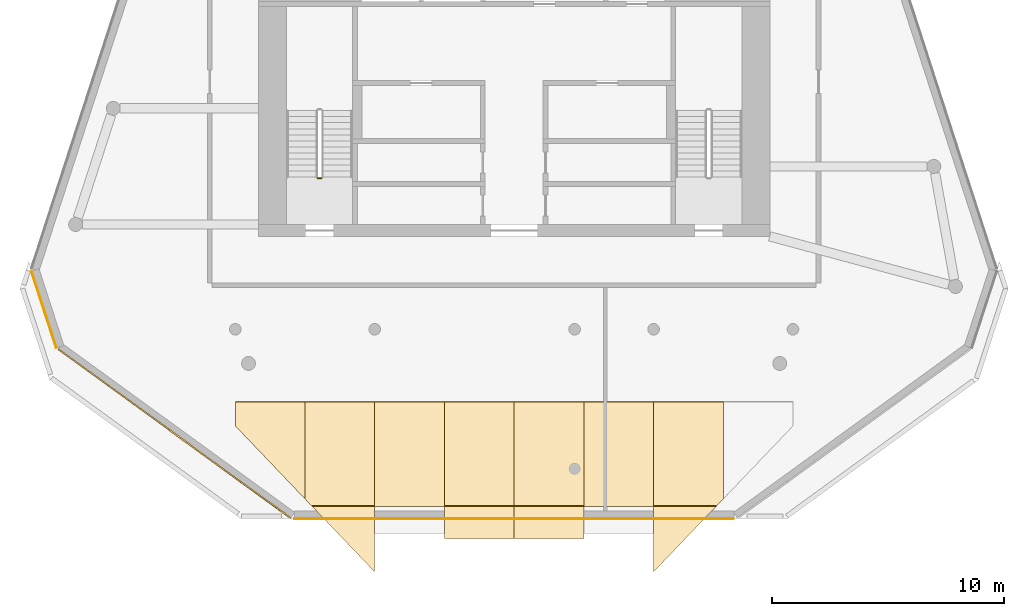
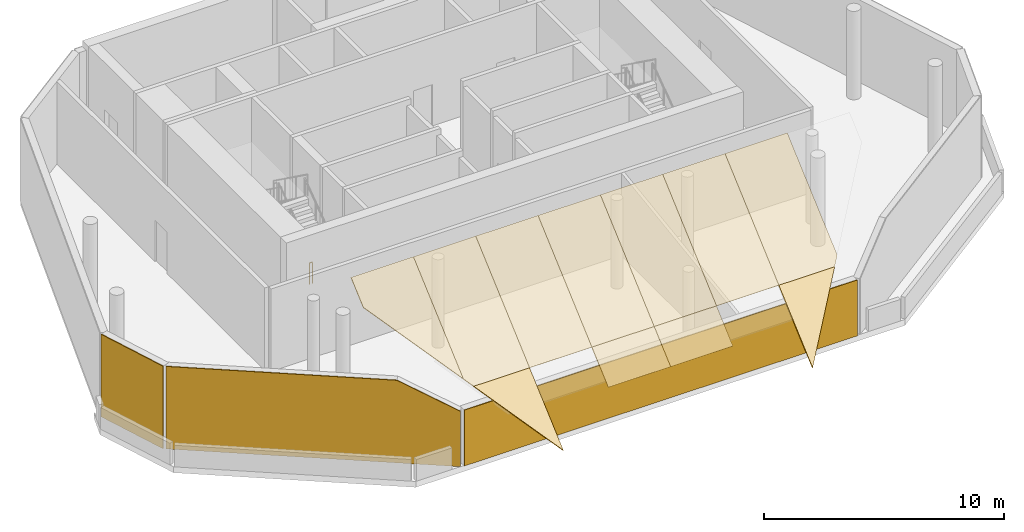
# One storey, part 4 of 7: 14 coverings, 1 railing.
"""IFC4 building model written with IfcOpenShell, lengths in metres."""

import ifcopenshell
import ifcopenshell.guid

model = None  # the IFC model being written
_history = None  # IfcOwnerHistory: only IFC2X3 demands one
_inside = {}  # id of a spatial element -> (the spatial element, [elements in it])
_under = {}  # id of a project, library or spatial element -> (it, [spatial elements below it])
_declared = {}  # id of a project -> (the project, [libraries it declares])
_typed = {}  # id of a type object -> (the type object, [elements of that type])
_made_of = {}  # id of a material, layer set ... -> (it, [elements and type objects made of it])


def new_model(schema):
    """Start an empty IFC model of exactly this schema.

    Asked for "IFC4X3", IfcOpenShell would pick the latest addendum, in which some entities
    have other attributes; the version numbers below select the first issue.
    IFC2X3 requires an IfcOwnerHistory on every rooted entity: one is made here for all.
    """
    global model, _history
    if schema == "IFC4X3":
        model = ifcopenshell.file(schema_version=(4, 3, 0, 0))
    else:
        model = ifcopenshell.file(schema=schema)
    _inside.clear()
    _under.clear()
    _declared.clear()
    _typed.clear()
    _made_of.clear()
    _history = None
    if model.schema == "IFC2X3":
        org = make("IfcOrganization", Name="unknown")
        user = make(
            "IfcPersonAndOrganization",
            ThePerson=make("IfcPerson", FamilyName="unknown"),
            TheOrganization=org,
        )
        app = make(
            "IfcApplication",
            ApplicationDeveloper=org,
            Version="unknown",
            ApplicationFullName="unknown",
            ApplicationIdentifier="unknown",
        )
        _history = make(
            "IfcOwnerHistory",
            OwningUser=user,
            OwningApplication=app,
            ChangeAction="ADDED",
            CreationDate=0,
        )
    return model


def make(cls, **values):
    """One entity of the class cls with the attributes given. An attribute that is None is left unset."""
    return model.create_entity(
        cls, **{name: value for name, value in values.items() if value is not None}
    )


def rooted(cls, **values):
    """An entity with a GlobalId (a new one), such as an element, a storey or a relation."""
    return make(cls, GlobalId=ifcopenshell.guid.new(), OwnerHistory=_history, **values)


def si_unit(unit_type, name, prefix=None):
    """IfcSIUnit, for example si_unit("LENGTHUNIT", "METRE", prefix="MILLI")."""
    return make("IfcSIUnit", UnitType=unit_type, Prefix=prefix, Name=name)


def assignment(units):
    """IfcUnitAssignment: the units of a project."""
    return None if units is None else make("IfcUnitAssignment", Units=units)


def point(xyz):
    """IfcCartesianPoint."""
    return None if xyz is None else make("IfcCartesianPoint", Coordinates=xyz)


def direction(xyz):
    """IfcDirection."""
    return None if xyz is None else make("IfcDirection", DirectionRatios=xyz)


def frame(location, z_axis=None, x_axis=None):
    """IfcAxis2Placement3D, a coordinate frame: its origin and axes. An axis left out is left unset."""
    return make(
        "IfcAxis2Placement3D",
        Location=point(location),
        Axis=direction(z_axis),
        RefDirection=direction(x_axis),
    )


def frame_2d(location, x_axis=None):
    """IfcAxis2Placement2D, a coordinate frame in the plane: its origin and x axis."""
    return make(
        "IfcAxis2Placement2D", Location=point(location), RefDirection=direction(x_axis)
    )


def origin():
    """The frame at (0, 0, 0) with its axes left unset."""
    return frame((0.0, 0.0, 0.0))


def origin_2d():
    """The frame at (0, 0) in the plane with its x axis left unset."""
    return frame_2d((0.0, 0.0))


def place(relative_to, where):
    """IfcLocalPlacement: puts the frame where relative to a parent placement (None: the world)."""
    return make(
        "IfcLocalPlacement", PlacementRelTo=relative_to, RelativePlacement=where
    )


def context(
    kind, dimensions, precision=None, world=None, true_north=None, identifier=None
):
    """IfcGeometricRepresentationContext, for example the 3D "Model" context."""
    return make(
        "IfcGeometricRepresentationContext",
        ContextIdentifier=identifier,
        ContextType=kind,
        CoordinateSpaceDimension=dimensions,
        Precision=precision,
        WorldCoordinateSystem=world,
        TrueNorth=true_north,
    )


def subcontext(parent, identifier, kind, view, scale=None):
    """IfcGeometricRepresentationSubContext, for example "Body" below "Model"."""
    return make(
        "IfcGeometricRepresentationSubContext",
        ContextIdentifier=identifier,
        ContextType=kind,
        ParentContext=parent,
        TargetScale=scale,
        TargetView=view,
    )


def project(units=None, contexts=None):
    """IfcProject with its units and contexts."""
    return rooted(
        "IfcProject",
        Name="project",
        RepresentationContexts=contexts,
        UnitsInContext=assignment(units),
    )


def spatial(cls, under=None, at=None, **own):
    """A site, building, storey or space (cls), placed at a placement, below another one or the project."""
    s = rooted(cls, ObjectPlacement=at, **own)
    if under is not None:
        _under.setdefault(under.id(), (under, []))[1].append(s)
    return s


def polyline(points):
    """IfcPolyline through the points."""
    return make("IfcPolyline", Points=[point(p) for p in points])


def profile(cls, at=None, kind="AREA", **sizes):
    """A parametric profile (cls). Its sizes go by their IFC names, for example OverallWidth=200.0."""
    return make(cls, ProfileType=kind, Position=at, **sizes)


def circle(**sizes):
    """IfcCircleProfileDef."""
    return profile("IfcCircleProfileDef", **sizes)


def outline(outer, holes=None, kind="AREA"):
    """IfcArbitraryClosedProfileDef: a profile drawn as a closed curve; with holes, ...WithVoids."""
    if holes is None:
        return make("IfcArbitraryClosedProfileDef", ProfileType=kind, OuterCurve=outer)
    return make(
        "IfcArbitraryProfileDefWithVoids",
        ProfileType=kind,
        OuterCurve=outer,
        InnerCurves=holes,
    )


def extrude(swept, where, along, depth):
    """IfcExtrudedAreaSolid: the profile swept, set in the frame where, extruded along a direction by depth."""
    return make(
        "IfcExtrudedAreaSolid",
        SweptArea=swept,
        Position=where,
        ExtrudedDirection=direction(along),
        Depth=depth,
    )


def shape(context_of_items, identifier, shape_type, items):
    """IfcShapeRepresentation: the items that make up one representation, for example the "Body"."""
    return make(
        "IfcShapeRepresentation",
        ContextOfItems=context_of_items,
        RepresentationIdentifier=identifier,
        RepresentationType=shape_type,
        Items=items,
    )


def material(Name=None, Category=None):
    """IfcMaterial."""
    return make("IfcMaterial", Name=Name, Category=Category)


def layer(
    of_material, thickness, ventilated=None, Name=None, Category=None, Priority=None
):
    """IfcMaterialLayer: one layer of a wall or slab, of a material (None: an air gap)."""
    return make(
        "IfcMaterialLayer",
        Material=of_material,
        LayerThickness=thickness,
        IsVentilated=ventilated,
        Name=Name,
        Category=Category,
        Priority=Priority,
    )


def layer_set(layers, Name=None):
    """IfcMaterialLayerSet."""
    return make("IfcMaterialLayerSet", MaterialLayers=layers, LayerSetName=Name)


def made_of(thing, what):
    """Note that an element or type object is made of a material, layer set ...; save() writes the relation."""
    if what is not None:
        _made_of.setdefault(what.id(), (what, []))[1].append(thing)
    return thing


def type_object(cls, material=None, **own):
    """A type object (cls), such as IfcWallType, which elements share."""
    return made_of(rooted(cls, **own), material)


def element(
    cls,
    number,
    at=None,
    inside=None,
    cuts=None,
    type_object=None,
    material=None,
    context=None,
    identifier="Body",
    shape_type=None,
    held_by="IfcProductDefinitionShape",
    body=None,
    shapes=None,
    **own,
):
    """One element of the class cls, such as IfcWall. Its Tag is "e" and its number.

    at: its placement. inside: the storey or other place that contains it. cuts: it is an
    opening in that element (IfcRelVoidsElement). A single representation is given by context,
    identifier, shape_type and body (its items); several are given by shapes. held_by: the class
    of the entity that holds the representations. save() writes the other relations.
    """
    e = rooted(cls, Tag="e%d" % number, ObjectPlacement=at, **own)
    if body is not None:
        shapes = [shape(context, identifier, shape_type, body)]
    if shapes is not None:
        e.Representation = make(held_by, Representations=shapes)
    if inside is not None:
        _inside.setdefault(inside.id(), (inside, []))[1].append(e)
    if cuts is not None:
        rooted(
            "IfcRelVoidsElement", RelatingBuildingElement=cuts, RelatedOpeningElement=e
        )
    if type_object is not None:
        _typed.setdefault(type_object.id(), (type_object, []))[1].append(e)
    return made_of(e, material)


def aggregate(whole, parts):
    """IfcRelAggregates: a whole, such as a stair, and the parts it consists of."""
    return rooted("IfcRelAggregates", RelatingObject=whole, RelatedObjects=parts)


def save(model, path):
    """Write the relations noted so far, then the file.

    IfcRelAggregates (storeys below a building ...), IfcRelContainedInSpatialStructure (elements
    in a storey), IfcRelDefinesByType, IfcRelAssociatesMaterial and IfcRelDeclares: one each for
    every whole, place, type object, material and project.
    """
    for whole, parts in _under.values():
        aggregate(whole, parts)
    for where, things in _inside.values():
        rooted(
            "IfcRelContainedInSpatialStructure",
            RelatedElements=things,
            RelatingStructure=where,
        )
    for kind, things in _typed.values():
        rooted("IfcRelDefinesByType", RelatedObjects=things, RelatingType=kind)
    for what, things in _made_of.values():
        rooted("IfcRelAssociatesMaterial", RelatedObjects=things, RelatingMaterial=what)
    for by, libraries in _declared.values():
        rooted("IfcRelDeclares", RelatingContext=by, RelatedDefinitions=libraries)
    model.write(path)


model = new_model("IFC4")

# Units and contexts
model_context = context("Model", 3, precision=1e-05, world=origin(), true_north=direction((0.0, 1.0)))
body_context = subcontext(model_context, "Body", "Model", "MODEL_VIEW")
ifc_project = project(units=[si_unit("LENGTHUNIT", "METRE"), si_unit("AREAUNIT", "SQUARE_METRE"), si_unit("VOLUMEUNIT", "CUBIC_METRE"), si_unit("PLANEANGLEUNIT", "RADIAN"), si_unit("MASSUNIT", "GRAM", prefix="KILO")], contexts=[model_context])

# Site, building, storey
site_placement = place(None, origin())
site = spatial("IfcSite", under=ifc_project, at=site_placement, CompositionType="ELEMENT")
building_placement = place(site_placement, origin())
building = spatial("IfcBuilding", under=site, at=building_placement, Name="White Candle Pilgrim Tower", CompositionType="ELEMENT")
storey_placement = place(building_placement, frame((0.0, 0.0, 333.199951171875)))
storey = spatial("IfcBuildingStorey", under=building, at=storey_placement, Name="L78", CompositionType="ELEMENT", Elevation=333.199951171875)

# Coverings
ifc_material_1 = material(Name="Zinc standing seam")
ifc_layer_1 = layer(ifc_material_1, 0.050048828125)
ifc_layer_set_1 = layer_set([ifc_layer_1], Name="Roof covering CL2 zinc standing seam 50")
covering_type_1 = type_object("IfcCoveringType", Name="Roof covering CL2 zinc standing seam 50", PredefinedType="ROOFING", material=ifc_layer_set_1)
covering_1_placement = place(storey_placement, frame((64.0, 59.375732421875, 3.455078125), z_axis=(-6.352235e-05, -0.662950795504, 0.748662967366), x_axis=(2.884e-09, -0.748662968877, -0.662950796841)))
element("IfcCovering", 1, at=covering_1_placement, inside=storey, type_object=covering_type_1, Name="Roof covering 5", PredefinedType="ROOFING", context=body_context, shape_type="SweptSolid", body=[
    extrude(outline(polyline([(0.0, 0.0), (3.7627417698235908, -2.710505431213761e-20), (3.3047536556602832, -0.32739258944679517), (2.636820425345887, -0.8046875029830809), (1.969049048253376, -1.2819824281303878), (1.3011158179389801, -1.7592773416666734), (0.6333444408464692, -2.2365722668139805), (-7.755208760855096e-09, -2.689208978949401), (0.0, 0.0)])), origin(), (0.0, 0.0, -1.0), 0.050048828125),
])
for number, where, z_axis, x_axis, name in (
    (2, (67.0, 59.375732421875, 3.455078125), (0.0, -0.662886316138, 0.748720062425), (1.0, 0.0, 0.0), "Roof covering 7"),
    (3, (70.0, 59.375732421875, 3.455078125), (0.0, -0.662886316138, 0.748720062425), (1.0, 0.0, 0.0), "Roof covering 8"),
):
    element("IfcCovering", number, at=place(storey_placement, frame(where, z_axis=z_axis, x_axis=x_axis)), inside=storey, type_object=covering_type_1, Name=name, PredefinedType="ROOFING", context=body_context, shape_type="SweptSolid", body=[
        extrude(outline(polyline([(0.0, 0.0), (3.0, 0.0), (3.0, -1.8374456501403094), (0.0, -1.8374456501403094), (0.0, 0.0)])), origin(), (0.0, 0.0, -1.0), 0.050048828125),
    ])
covering_2_placement = place(storey_placement, frame((76.0, 59.375732421875, 3.455078125), z_axis=(6.352235e-05, -0.662950795504, 0.748662967366), x_axis=(0.999999997982, 4.2112192e-05, -4.7556831e-05)))
element("IfcCovering", 4, at=covering_2_placement, inside=storey, type_object=covering_type_1, Name="Roof covering 10", PredefinedType="ROOFING", context=body_context, shape_type="SweptSolid", body=[
    extrude(outline(polyline([(0.0, 0.0), (2.6892089789494014, 0.0), (2.236572264987526, -0.6333444472963526), (1.759277337914483, -1.3011158230124282), (1.2819824224519945, -1.9690490519503894), (0.8046874953789517, -2.636820427666465), (0.3273925799164632, -3.3047536566044258), (-1.0851089731793375e-08, -3.7627417698235903), (0.0, 0.0)])), origin(), (0.0, 0.0, -1.0), 0.050048828125),
])
covering_3_placement = place(storey_placement, frame((58.0, 63.867919921875, 7.4326171875), z_axis=(-4.4895657e-05, -0.662943312915, 0.748669594578), x_axis=(0.999999998992, -2.9763275e-05, 3.3612013e-05)))
element("IfcCovering", 5, at=covering_3_placement, inside=storey, type_object=covering_type_1, Name="Roof covering 12", PredefinedType="ROOFING", context=body_context, shape_type="SweptSolid", body=[
    extrude(outline(polyline([(0.0, 0.0), (2.99999999697657, -1.0164395367051604e-20), (3.0000000040390264, -5.565071222045936), (2.8088378939864898, -5.297686965738794), (2.331542968537765, -4.629915589086622), (1.8542480430890402, -3.96214421243445), (1.3769531258463734, -3.2942109843873597), (0.8996582003976485, -2.626439607735187), (0.4223632749489239, -1.9586682310830144), (-1.913983101742571e-09, -1.3676981810235604), (0.0, 0.0)])), origin(), (0.0, 0.0, -1.0), 0.050048828125),
])
covering_4_placement = place(storey_placement, frame((61.0, 63.867919921875, 7.4326171875), z_axis=(-7.066446e-06, -0.662919170979, 0.748690972765), x_axis=(0.999999999975, -4.684483e-06, 5.290584e-06)))
element("IfcCovering", 6, at=covering_4_placement, inside=storey, type_object=covering_type_1, Name="Roof covering 13", PredefinedType="ROOFING", context=body_context, shape_type="SweptSolid", body=[
    extrude(outline(polyline([(0.0, 0.0), (2.999999999925098, 0.0), (2.999999999993102, -6.000047127213005), (0.31079101568524414, -6.000047127213005), (0.2861328114547062, -5.965620192150121), (-1.5650646667110892e-10, -5.565071224225186), (0.0, 0.0)])), origin(), (0.0, 0.0, -1.0), 0.050048828125),
])
for number, where, z_axis, x_axis, name in (
    (7, (64.0, 59.375732421875, 3.455078125), (0.0, -0.66291797017, 0.748692036038), (0.0, 0.748692036038, 0.66291797017), "Roof covering 14"),
    (8, (67.0, 59.375732421875, 3.455078125), (0.0, -0.66291797017, 0.748692036038), (0.0, 0.748692036038, 0.66291797017), "Roof covering 15"),
    (9, (70.0, 59.375732421875, 3.455078125), (0.0, -0.66291797017, 0.748692036038), (0.0, 0.748692036038, 0.66291797017), "Roof covering 16"),
    (10, (73.0, 59.375732421875, 3.455078125), (0.0, -0.66291797017, 0.748692036038), (0.0, 0.748692036038, 0.66291797017), "Roof covering 17"),
):
    element("IfcCovering", number, at=place(storey_placement, frame(where, z_axis=z_axis, x_axis=x_axis)), inside=storey, type_object=covering_type_1, Name=name, PredefinedType="ROOFING", context=body_context, shape_type="SweptSolid", body=[
        extrude(outline(polyline([(0.0, 0.0), (6.000047127220721, 0.0), (6.000047127220721, -3.0), (0.0, -3.0), (0.0, 0.0)])), origin(), (0.0, 0.0, -1.0), 0.050048828125),
    ])
covering_5_placement = place(storey_placement, frame((76.0, 59.375732421875, 3.455078125), z_axis=(7.066446e-06, -0.662919170979, 0.748690972765), x_axis=(1.1e-11, 0.748690972783, 0.662919170995)))
element("IfcCovering", 11, at=covering_5_placement, inside=storey, type_object=covering_type_1, Name="Roof covering 18", PredefinedType="ROOFING", context=body_context, shape_type="SweptSolid", body=[
    extrude(outline(polyline([(0.0, 0.0), (6.000047127213004, -3.3881317890172014e-21), (6.000047127247006, -2.999999999925098), (0.43497590302182004, -3.000000000144678), (0.034426935093642294, -2.7138671885380052), (3.047912908832849e-11, -2.6892089843078577), (0.0, 0.0)])), origin(), (0.0, 0.0, -1.0), 0.050048828125),
])

# Railing
ifc_material_2 = material(Name="Stainless steel", Category="steel")
railing_type = type_object("IfcRailingType", Name="Stair guard stainless steel 1100 mm", PredefinedType="GUARDRAIL", material=ifc_material_2)
railing_placement = place(storey_placement, frame((61.699951171875, 73.5, 0.0)))
element("IfcRailing", 12, at=railing_placement, inside=storey, type_object=railing_type, Name="L78 ST1 stair guard 4", PredefinedType="GUARDRAIL", context=body_context, shape_type="SweptSolid", body=[
    extrude(circle(Radius=0.02392578125, at=origin_2d()), frame((0.0, 0.0, 1.076171875), z_axis=(-1.0, 0.0, 0.0), x_axis=(0.0, -1.0, 0.0)), (0.0, 0.0, 1.0), 0.14990234375),
    extrude(circle(Radius=0.02099609375, at=origin_2d()), origin(), (0.0, 0.0, 1.0), 1.052001953125),
    extrude(circle(Radius=0.02099609375, at=origin_2d()), frame((-0.14990234375, 0.0, 0.0)), (0.0, 0.0, 1.0), 1.052001953125),
])

# Coverings
ifc_layer_2 = layer(ifc_material_1, 0.0400390625)
ifc_layer_set_2 = layer_set([ifc_layer_2], Name="Zinc wall cladding CL3 40")
covering_type_2 = type_object("IfcCoveringType", Name="Zinc wall cladding CL3 40", PredefinedType="CLADDING", material=ifc_layer_set_2)
covering_6_placement = place(storey_placement, frame((49.249267578125, 69.505859375, 4.199951171875), z_axis=(0.951051619901, 0.309032063521, 0.0), x_axis=(0.309032063521, -0.951051619901, 0.0)))
element("IfcCovering", 13, at=covering_6_placement, inside=storey, type_object=covering_type_2, Name="Zinc wall cladding L78 W chamfer", PredefinedType="CLADDING", context=body_context, shape_type="SweptSolid", body=[
    extrude(outline(polyline([(0.0, 0.0), (3.4752853705190505, 0.0), (3.4752853705190505, 4.199951171875001), (0.0, 4.199951171875001), (0.0, 0.0)])), origin(), (0.0, 0.0, -1.0), 0.0400390625),
])
covering_7_placement = place(storey_placement, frame((50.38134765625, 66.12060546875, 4.199951171875), z_axis=(-0.587780856645, -0.809020187961, 5.680642e-06), x_axis=(0.809020187974, -0.587780856655, 2.3e-11)))
element("IfcCovering", 14, at=covering_7_placement, inside=storey, type_object=covering_type_2, Name="Zinc wall cladding L78 SW", PredefinedType="CLADDING", context=body_context, shape_type="SweptSolid", body=[
    extrude(outline(polyline([(0.0, 0.0), (9.687494871609962, -3.3881317890172014e-21), (12.349471089454273, -1.385253906560912), (12.349471089388505, -4.199951172140497), (-9.813717051955518e-11, -4.199951171807235), (0.0, 0.0)])), origin(), (0.0, 0.0, -1.0), 0.0400390625),
])
covering_8_placement = place(storey_placement, frame((60.543212890625, 58.86181640625, 2.841796875), z_axis=(0.0, 1.0, 0.0), x_axis=(1.0, 0.0, 0.0)))
element("IfcCovering", 15, at=covering_8_placement, inside=storey, type_object=covering_type_2, Name="Zinc wall cladding L78 S", PredefinedType="CLADDING", context=body_context, shape_type="SweptSolid", body=[
    extrude(outline(polyline([(0.0, 0.0), (18.91357421875, 0.0), (18.91357421875, 2.841796875), (0.0, 2.841796875), (0.0, 0.0)])), origin(), (0.0, 0.0, -1.0), 0.0400390625),
])

save(model, "model.ifc")
